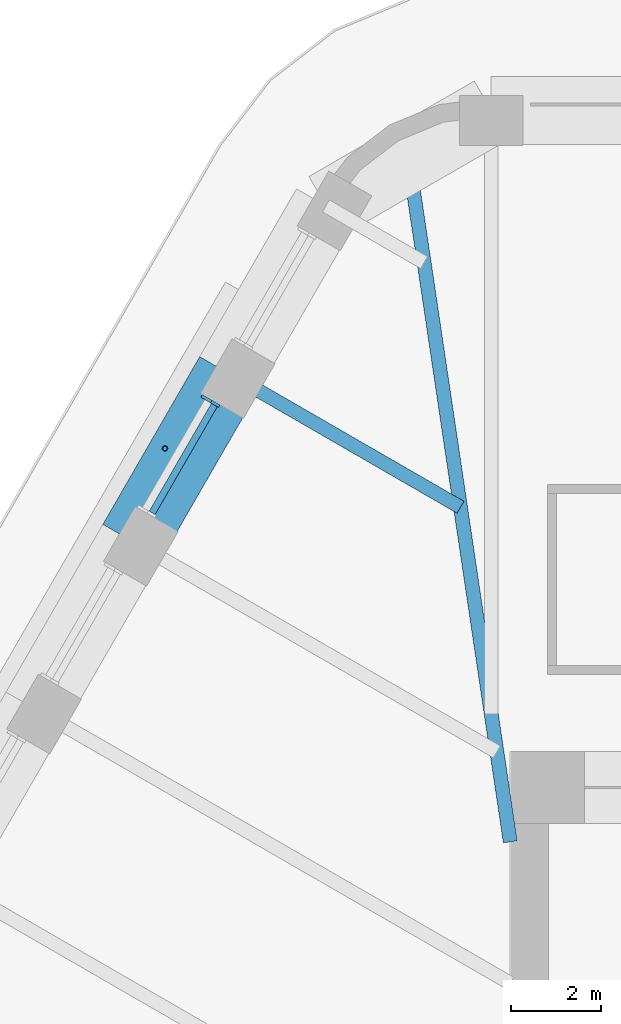
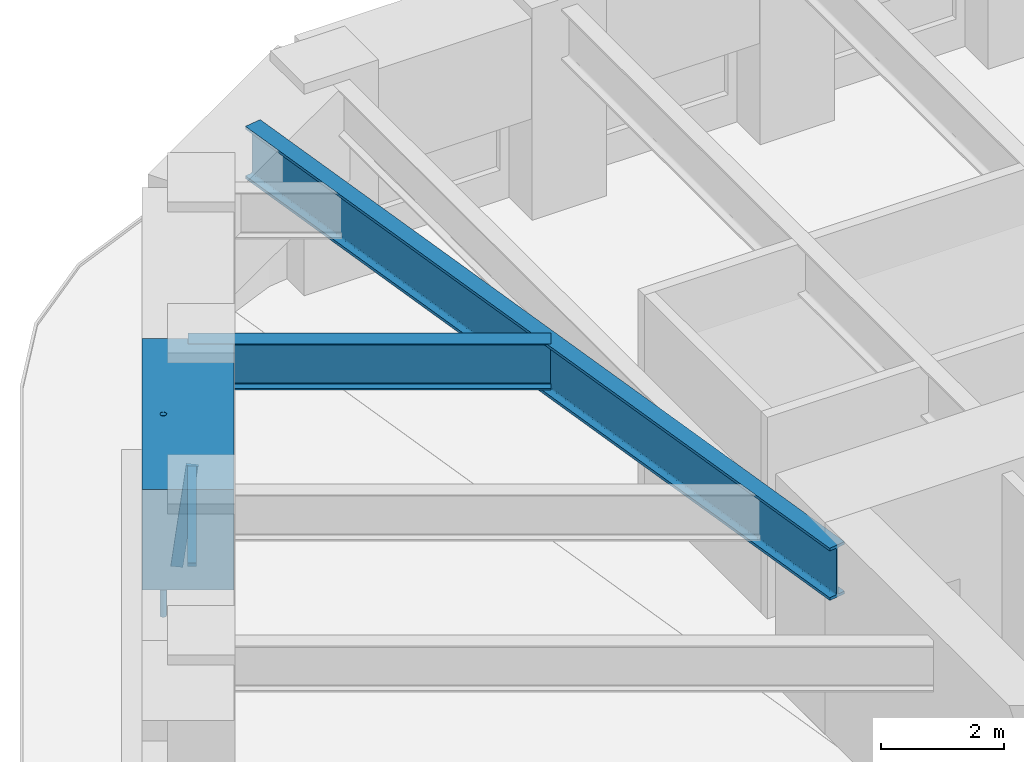
# One storey, part 8 of 18: 3 beams, 3 members, 1 element without a shape of its own.
"""IFC4 building model written with IfcOpenShell, lengths in metres."""

from ifc_helpers import new_model, si_unit, direction, frame, origin, origin_2d, place, context, subcontext, project, spatial, rectangle, hollow_circle, i_section, extrude, material, material_profile, profile_set, type_object, element, aggregate, save


model = new_model("IFC4")

# Units and contexts
model_context = context("Model", 3, precision=1e-05, world=origin(), true_north=direction((0.0, 1.0)))
body_context = subcontext(model_context, "Body", "Model", "MODEL_VIEW")
ifc_project = project(units=[si_unit("LENGTHUNIT", "METRE"), si_unit("AREAUNIT", "SQUARE_METRE"), si_unit("VOLUMEUNIT", "CUBIC_METRE"), si_unit("PLANEANGLEUNIT", "RADIAN"), si_unit("MASSUNIT", "GRAM", prefix="KILO")], contexts=[model_context])

# Site, building, storey
site_placement = place(None, origin())
site = spatial("IfcSite", under=ifc_project, at=site_placement, CompositionType="ELEMENT")
building_placement = place(site_placement, origin())
building = spatial("IfcBuilding", under=site, at=building_placement, Name="Tarfa Lantern Tower", CompositionType="ELEMENT")
storey_placement = place(building_placement, frame((0.0, 0.0, 319.89990234375)))
storey = spatial("IfcBuildingStorey", under=building, at=storey_placement, Name="L72", CompositionType="ELEMENT", Elevation=319.89990234375)

# Curtain wall, members
ifc_material_1 = material(Name="Aluminium framed curtain wall", Category="aluminium")
curtain_wall_type = type_object("IfcCurtainWallType", Name="CW4 CANTED GLAZING EXECUTIVE ZONE 2000", PredefinedType="USERDEFINED", material=ifc_material_1)
curtain_wall_placement = place(storey_placement, origin())
curtain_wall = element("IfcCurtainWall", 1, at=curtain_wall_placement, inside=storey, type_object=curtain_wall_type, Name="CW4 NW L72", ObjectType="CURTAIN WALL", PredefinedType="USERDEFINED")
ifc_material_2 = material(Name="Aluminium mullion", Category="aluminium")
ifc_material_profile_1 = material_profile(ifc_material_2, rectangle(XDim=0.06494140625, YDim=0.199951171875, at=origin_2d()), Name="AL MULLION 65x200")
ifc_profile_set_1 = profile_set([ifc_material_profile_1], Name="Aluminium mullion")
member_type_1 = type_object("IfcMemberType", Name="CWM1 MULLION 65x200", PredefinedType="MULLION", material=ifc_profile_set_1)
member_1_placement = place(storey_placement, frame((-19.163818359375, 20.107421875, 0.0), z_axis=(0.107439978116, -0.062017213975, 0.992275423596), x_axis=(0.499919672301, 0.866071776036, 0.0)))
member_1 = element("IfcMember", 2, at=member_1_placement, type_object=member_type_1, Name="CW4 mullion 1", PredefinedType="MULLION", context=body_context, shape_type="SweptSolid", body=[
    extrude(rectangle(XDim=0.06494140625, YDim=0.199951171875, at=origin_2d()), origin(), (0.0, 0.0, 1.0), 2.015625),
])
ifc_material_3 = material(Name="Aluminium transom", Category="aluminium")
ifc_material_profile_2 = material_profile(ifc_material_3, rectangle(XDim=0.14990234375, YDim=0.06494140625, at=origin_2d()), Name="AL TRANSOM 150x65")
ifc_profile_set_2 = profile_set([ifc_material_profile_2], Name="Aluminium transom")
member_type_2 = type_object("IfcMemberType", Name="CWT1 TRANSOM 150x65", PredefinedType="USERDEFINED", material=ifc_profile_set_2)
member_2_placement = place(storey_placement, frame((-18.967041015625, 19.956298828125, 1.967529296875), z_axis=(-0.499955378711, -0.866051164365, 0.0), x_axis=(0.866051164365, -0.499955378711, 0.0)))
member_2 = element("IfcMember", 3, at=member_2_placement, type_object=member_type_2, Name="CW4 transom 1.2", ObjectType="TRANSOM", PredefinedType="USERDEFINED", context=body_context, shape_type="SweptSolid", body=[
    extrude(rectangle(XDim=0.14990234375, YDim=0.06494140625, at=origin_2d()), origin(), (0.0, 0.0, 1.0), 2.752197265625),
])
aggregate(curtain_wall, [member_1, member_2])

# Beam
ifc_material_4 = material(Name="Concrete C80/95", Category="concrete")
ifc_material_profile_3 = material_profile(ifc_material_4, rectangle(XDim=1.5, YDim=2.0, at=origin_2d()), Name="RC 1500x2000")
ifc_profile_set_3 = profile_set([ifc_material_profile_3], Name="Concrete C80/95")
beam_type_1 = type_object("IfcBeamType", Name="RB3 RC 1500x2000", PredefinedType="BEAM", material=ifc_profile_set_3)
beam_1_placement = place(storey_placement, frame((-18.6416015625, 20.651611328125, 3.0), z_axis=(-0.500026801138, -0.866009929587, 0.0), x_axis=(0.866009929587, -0.500026801138, 0.0)))
element("IfcBeam", 4, at=beam_1_placement, inside=storey, type_object=beam_type_1, Name="Edge beam NW1", PredefinedType="BEAM", context=body_context, shape_type="SweptSolid", body=[
    extrude(rectangle(XDim=1.5, YDim=2.0, at=origin_2d()), origin(), (0.0, 0.0, 1.0), 4.281982421875),
])

# Member
ifc_material_5 = material(Name="Steel S355", Category="steel")
ifc_material_profile_4 = material_profile(ifc_material_5, hollow_circle(Radius=0.05712890625, WallThickness=0.00634765625, at=origin_2d()), Name="CHS114.3x6.3")
ifc_profile_set_4 = profile_set([ifc_material_profile_4], Name="Steel S355")
member_type_3 = type_object("IfcMemberType", Name="TR1 GREEN WALL TRELLIS CHS114.3x6.3", PredefinedType="USERDEFINED", material=ifc_profile_set_4)
member_3_placement = place(storey_placement, frame((-20.05859375, 18.99755859375, 0.0), z_axis=(0.0, 0.0, 1.0), x_axis=(1.0, 0.0, 0.0)))
element("IfcMember", 5, at=member_3_placement, inside=storey, type_object=member_type_3, Name="Trellis post NW 1", ObjectType="TRELLIS", PredefinedType="USERDEFINED", context=body_context, shape_type="SweptSolid", body=[
    extrude(hollow_circle(Radius=0.05712890625, WallThickness=0.00634765625, at=origin_2d()), origin(), (0.0, 0.0, 1.0), 4.0),
])

# Beams
ifc_material_6 = material(Name="Steel S460M", Category="steel")
ifc_material_profile_5 = material_profile(ifc_material_6, i_section(OverallWidth=0.30859375, OverallDepth=1.036376953125, WebThickness=0.030029296875, FlangeThickness=0.05419921875, FilletRadius=0.030029296875, at=origin_2d()), Name="UB1016x305x487")
ifc_profile_set_5 = profile_set([ifc_material_profile_5], Name="Steel S460M")
beam_type_2 = type_object("IfcBeamType", Name="UB1016x305x487", PredefinedType="BEAM", material=ifc_profile_set_5)
beam_2_placement = place(storey_placement, frame((-12.425048828125, 10.300048828125, 3.48193359375), z_axis=(-0.147127069073, 0.989117599452, 0.0), x_axis=(-0.989117599452, -0.147127069073, 0.0)))
element("IfcBeam", 6, at=beam_2_placement, inside=storey, type_object=beam_type_2, Name="Hip girder NW", PredefinedType="BEAM", context=body_context, shape_type="SweptSolid", body=[
    extrude(i_section(OverallWidth=0.30859375, OverallDepth=1.036376953125, WebThickness=0.030029296875, FlangeThickness=0.05419921875, FilletRadius=0.030029296875, at=origin_2d()), origin(), (0.0, 0.0, 1.0), 15.28125),
])
ifc_material_profile_6 = material_profile(ifc_material_6, i_section(OverallWidth=0.305419921875, OverallDepth=0.91845703125, WebThickness=0.017333984375, FlangeThickness=0.02783203125, FilletRadius=0.01904296875, at=origin_2d()), Name="UB914x305x253")
ifc_profile_set_6 = profile_set([ifc_material_profile_6], Name="Steel S460M")
beam_type_3 = type_object("IfcBeamType", Name="UB914x305x253", PredefinedType="BEAM", material=ifc_profile_set_6)
beam_3_placement = place(storey_placement, frame((-18.6416015625, 20.651611328125, 3.541015625), z_axis=(0.866024549157, -0.500001480256, 0.0), x_axis=(0.500001480256, 0.866024549157, 0.0)))
element("IfcBeam", 7, at=beam_3_placement, inside=storey, type_object=beam_type_3, Name="Floor beam NW1", PredefinedType="BEAM", context=body_context, shape_type="SweptSolid", body=[
    extrude(i_section(OverallWidth=0.305419921875, OverallDepth=0.91845703125, WebThickness=0.017333984375, FlangeThickness=0.02783203125, FilletRadius=0.01904296875, at=origin_2d()), origin(), (0.0, 0.0, 1.0), 5.90771484375),
])

save(model, "model.ifc")
